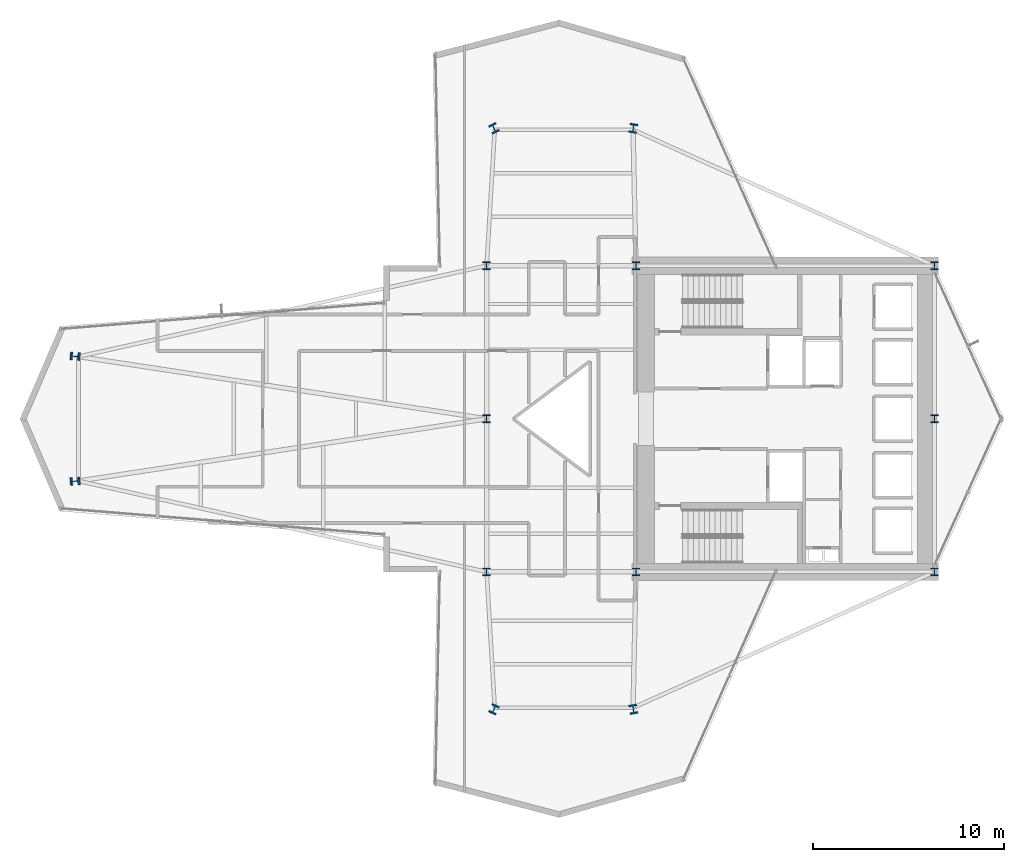
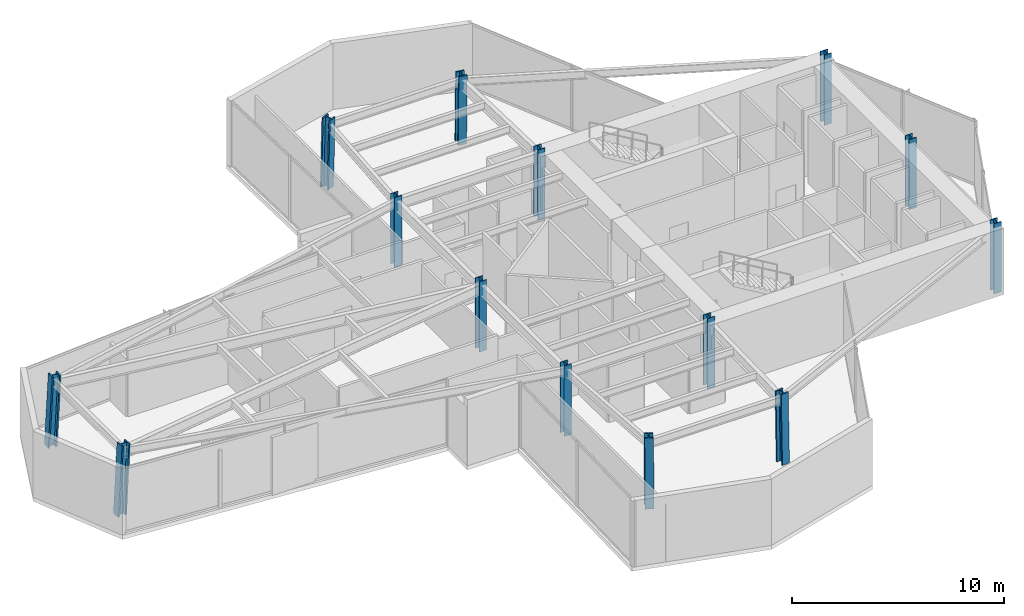
# One storey, part 1 of 24: 14 columns.
"""IFC4 building model written with IfcOpenShell, lengths in metres."""

import ifcopenshell
import ifcopenshell.guid

model = None  # the IFC model being written
_history = None  # IfcOwnerHistory: only IFC2X3 demands one
_inside = {}  # id of a spatial element -> (the spatial element, [elements in it])
_under = {}  # id of a project, library or spatial element -> (it, [spatial elements below it])
_declared = {}  # id of a project -> (the project, [libraries it declares])
_typed = {}  # id of a type object -> (the type object, [elements of that type])
_made_of = {}  # id of a material, layer set ... -> (it, [elements and type objects made of it])


def new_model(schema):
    """Start an empty IFC model of exactly this schema.

    Asked for "IFC4X3", IfcOpenShell would pick the latest addendum, in which some entities
    have other attributes; the version numbers below select the first issue.
    IFC2X3 requires an IfcOwnerHistory on every rooted entity: one is made here for all.
    """
    global model, _history
    if schema == "IFC4X3":
        model = ifcopenshell.file(schema_version=(4, 3, 0, 0))
    else:
        model = ifcopenshell.file(schema=schema)
    _inside.clear()
    _under.clear()
    _declared.clear()
    _typed.clear()
    _made_of.clear()
    _history = None
    if model.schema == "IFC2X3":
        org = make("IfcOrganization", Name="unknown")
        user = make(
            "IfcPersonAndOrganization",
            ThePerson=make("IfcPerson", FamilyName="unknown"),
            TheOrganization=org,
        )
        app = make(
            "IfcApplication",
            ApplicationDeveloper=org,
            Version="unknown",
            ApplicationFullName="unknown",
            ApplicationIdentifier="unknown",
        )
        _history = make(
            "IfcOwnerHistory",
            OwningUser=user,
            OwningApplication=app,
            ChangeAction="ADDED",
            CreationDate=0,
        )
    return model


def make(cls, **values):
    """One entity of the class cls with the attributes given. An attribute that is None is left unset."""
    return model.create_entity(
        cls, **{name: value for name, value in values.items() if value is not None}
    )


def rooted(cls, **values):
    """An entity with a GlobalId (a new one), such as an element, a storey or a relation."""
    return make(cls, GlobalId=ifcopenshell.guid.new(), OwnerHistory=_history, **values)


def si_unit(unit_type, name, prefix=None):
    """IfcSIUnit, for example si_unit("LENGTHUNIT", "METRE", prefix="MILLI")."""
    return make("IfcSIUnit", UnitType=unit_type, Prefix=prefix, Name=name)


def assignment(units):
    """IfcUnitAssignment: the units of a project."""
    return None if units is None else make("IfcUnitAssignment", Units=units)


def point(xyz):
    """IfcCartesianPoint."""
    return None if xyz is None else make("IfcCartesianPoint", Coordinates=xyz)


def direction(xyz):
    """IfcDirection."""
    return None if xyz is None else make("IfcDirection", DirectionRatios=xyz)


def frame(location, z_axis=None, x_axis=None):
    """IfcAxis2Placement3D, a coordinate frame: its origin and axes. An axis left out is left unset."""
    return make(
        "IfcAxis2Placement3D",
        Location=point(location),
        Axis=direction(z_axis),
        RefDirection=direction(x_axis),
    )


def frame_2d(location, x_axis=None):
    """IfcAxis2Placement2D, a coordinate frame in the plane: its origin and x axis."""
    return make(
        "IfcAxis2Placement2D", Location=point(location), RefDirection=direction(x_axis)
    )


def origin():
    """The frame at (0, 0, 0) with its axes left unset."""
    return frame((0.0, 0.0, 0.0))


def origin_2d():
    """The frame at (0, 0) in the plane with its x axis left unset."""
    return frame_2d((0.0, 0.0))


def place(relative_to, where):
    """IfcLocalPlacement: puts the frame where relative to a parent placement (None: the world)."""
    return make(
        "IfcLocalPlacement", PlacementRelTo=relative_to, RelativePlacement=where
    )


def context(
    kind, dimensions, precision=None, world=None, true_north=None, identifier=None
):
    """IfcGeometricRepresentationContext, for example the 3D "Model" context."""
    return make(
        "IfcGeometricRepresentationContext",
        ContextIdentifier=identifier,
        ContextType=kind,
        CoordinateSpaceDimension=dimensions,
        Precision=precision,
        WorldCoordinateSystem=world,
        TrueNorth=true_north,
    )


def subcontext(parent, identifier, kind, view, scale=None):
    """IfcGeometricRepresentationSubContext, for example "Body" below "Model"."""
    return make(
        "IfcGeometricRepresentationSubContext",
        ContextIdentifier=identifier,
        ContextType=kind,
        ParentContext=parent,
        TargetScale=scale,
        TargetView=view,
    )


def project(units=None, contexts=None):
    """IfcProject with its units and contexts."""
    return rooted(
        "IfcProject",
        Name="project",
        RepresentationContexts=contexts,
        UnitsInContext=assignment(units),
    )


def spatial(cls, under=None, at=None, **own):
    """A site, building, storey or space (cls), placed at a placement, below another one or the project."""
    s = rooted(cls, ObjectPlacement=at, **own)
    if under is not None:
        _under.setdefault(under.id(), (under, []))[1].append(s)
    return s


def profile(cls, at=None, kind="AREA", **sizes):
    """A parametric profile (cls). Its sizes go by their IFC names, for example OverallWidth=200.0."""
    return make(cls, ProfileType=kind, Position=at, **sizes)


def i_section(**sizes):
    """IfcIShapeProfileDef."""
    return profile("IfcIShapeProfileDef", **sizes)


def extrude(swept, where, along, depth):
    """IfcExtrudedAreaSolid: the profile swept, set in the frame where, extruded along a direction by depth."""
    return make(
        "IfcExtrudedAreaSolid",
        SweptArea=swept,
        Position=where,
        ExtrudedDirection=direction(along),
        Depth=depth,
    )


def shape(context_of_items, identifier, shape_type, items):
    """IfcShapeRepresentation: the items that make up one representation, for example the "Body"."""
    return make(
        "IfcShapeRepresentation",
        ContextOfItems=context_of_items,
        RepresentationIdentifier=identifier,
        RepresentationType=shape_type,
        Items=items,
    )


def material(Name=None, Category=None):
    """IfcMaterial."""
    return make("IfcMaterial", Name=Name, Category=Category)


def material_profile(
    of_material, cross_section, Name=None, Category=None, Priority=None
):
    """IfcMaterialProfile: a cross section and its material."""
    return make(
        "IfcMaterialProfile",
        Name=Name,
        Material=of_material,
        Profile=cross_section,
        Priority=Priority,
        Category=Category,
    )


def profile_set(profiles, Name=None, composite=None):
    """IfcMaterialProfileSet."""
    return make(
        "IfcMaterialProfileSet",
        Name=Name,
        MaterialProfiles=profiles,
        CompositeProfile=composite,
    )


def made_of(thing, what):
    """Note that an element or type object is made of a material, layer set ...; save() writes the relation."""
    if what is not None:
        _made_of.setdefault(what.id(), (what, []))[1].append(thing)
    return thing


def type_object(cls, material=None, **own):
    """A type object (cls), such as IfcWallType, which elements share."""
    return made_of(rooted(cls, **own), material)


def element(
    cls,
    number,
    at=None,
    inside=None,
    cuts=None,
    type_object=None,
    material=None,
    context=None,
    identifier="Body",
    shape_type=None,
    held_by="IfcProductDefinitionShape",
    body=None,
    shapes=None,
    **own,
):
    """One element of the class cls, such as IfcWall. Its Tag is "e" and its number.

    at: its placement. inside: the storey or other place that contains it. cuts: it is an
    opening in that element (IfcRelVoidsElement). A single representation is given by context,
    identifier, shape_type and body (its items); several are given by shapes. held_by: the class
    of the entity that holds the representations. save() writes the other relations.
    """
    e = rooted(cls, Tag="e%d" % number, ObjectPlacement=at, **own)
    if body is not None:
        shapes = [shape(context, identifier, shape_type, body)]
    if shapes is not None:
        e.Representation = make(held_by, Representations=shapes)
    if inside is not None:
        _inside.setdefault(inside.id(), (inside, []))[1].append(e)
    if cuts is not None:
        rooted(
            "IfcRelVoidsElement", RelatingBuildingElement=cuts, RelatedOpeningElement=e
        )
    if type_object is not None:
        _typed.setdefault(type_object.id(), (type_object, []))[1].append(e)
    return made_of(e, material)


def aggregate(whole, parts):
    """IfcRelAggregates: a whole, such as a stair, and the parts it consists of."""
    return rooted("IfcRelAggregates", RelatingObject=whole, RelatedObjects=parts)


def save(model, path):
    """Write the relations noted so far, then the file.

    IfcRelAggregates (storeys below a building ...), IfcRelContainedInSpatialStructure (elements
    in a storey), IfcRelDefinesByType, IfcRelAssociatesMaterial and IfcRelDeclares: one each for
    every whole, place, type object, material and project.
    """
    for whole, parts in _under.values():
        aggregate(whole, parts)
    for where, things in _inside.values():
        rooted(
            "IfcRelContainedInSpatialStructure",
            RelatedElements=things,
            RelatingStructure=where,
        )
    for kind, things in _typed.values():
        rooted("IfcRelDefinesByType", RelatedObjects=things, RelatingType=kind)
    for what, things in _made_of.values():
        rooted("IfcRelAssociatesMaterial", RelatedObjects=things, RelatingMaterial=what)
    for by, libraries in _declared.values():
        rooted("IfcRelDeclares", RelatingContext=by, RelatedDefinitions=libraries)
    model.write(path)


model = new_model("IFC4")

# Units and contexts
model_context = context("Model", 3, precision=1e-05, world=origin(), true_north=direction((0.0, 1.0)))
body_context = subcontext(model_context, "Body", "Model", "MODEL_VIEW")
ifc_project = project(units=[si_unit("LENGTHUNIT", "METRE"), si_unit("AREAUNIT", "SQUARE_METRE"), si_unit("VOLUMEUNIT", "CUBIC_METRE"), si_unit("PLANEANGLEUNIT", "RADIAN"), si_unit("MASSUNIT", "GRAM", prefix="KILO")], contexts=[model_context])

# Site, building, storey
site_placement = place(None, origin())
site = spatial("IfcSite", under=ifc_project, at=site_placement, CompositionType="ELEMENT")
building_placement = place(site_placement, origin())
building = spatial("IfcBuilding", under=site, at=building_placement, Name="Veymaron Broadcast Tower", CompositionType="ELEMENT")
storey_placement = place(building_placement, frame((0.0, 0.0, 98.550048828125)))
storey = spatial("IfcBuildingStorey", under=building, at=storey_placement, Name="L22", CompositionType="ELEMENT", Elevation=98.550048828125)

# Columns
ifc_material = material(Name="Structural steel ASTM A913 Gr 65", Category="steel")
ifc_material_profile_1 = material_profile(ifc_material, i_section(OverallWidth=0.40087890625, OverallDepth=0.39892578125, WebThickness=0.02490234375, FlangeThickness=0.03955078125, at=origin_2d()), Name="W360X314")
ifc_profile_set_1 = profile_set([ifc_material_profile_1], Name="Structural steel ASTM A913 Gr 65")
column_type_1 = type_object("IfcColumnType", Name="COL-HC1", PredefinedType="COLUMN", material=ifc_profile_set_1)
for number, where, z_axis, x_axis, name in (
    (1, (31.199951171875, 16.0, 0.0), (0.0, 0.0, 1.0), (1.0, 0.0, 0.0), "L22 structural hub and core column"),
    (2, (31.199951171875, 24.0, 0.0), (0.0, 0.0, 1.0), (1.0, 0.0, 0.0), "L22 structural hub and core column"),
    (3, (31.199951171875, 32.0, 0.0), (0.0, 0.0, 1.0), (1.0, 0.0, 0.0), "L22 structural hub and core column"),
    (4, (39.0, 16.0, 0.0), (0.0, 0.0, 1.0), (1.0, 0.0, 0.0), "L22 structural hub and core column"),
    (5, (39.0, 32.0, 0.0), (0.0, 0.0, 1.0), (1.0, 0.0, 0.0), "L22 structural hub and core column"),
    (6, (54.60009765625, 16.0, 0.0), (0.0, 0.0, 1.0), (1.0, 0.0, 0.0), "L22 structural hub and core column"),
    (7, (54.60009765625, 24.0, 0.0), (0.0, 0.0, 1.0), (1.0, 0.0, 0.0), "L22 structural hub and core column"),
    (8, (54.60009765625, 32.0, 0.0), (0.0, 0.0, 1.0), (1.0, 0.0, 0.0), "L22 structural hub and core column"),
):
    element("IfcColumn", number, at=place(storey_placement, frame(where, z_axis=z_axis, x_axis=x_axis)), inside=storey, type_object=column_type_1, Name=name, PredefinedType="COLUMN", context=body_context, shape_type="SweptSolid", body=[
        extrude(i_section(OverallWidth=0.40087890625, OverallDepth=0.39892578125, WebThickness=0.02490234375, FlangeThickness=0.03955078125, at=origin_2d()), origin(), (0.0, 0.0, 1.0), 4.0439453125),
    ])
ifc_material_profile_2 = material_profile(ifc_material, i_section(OverallWidth=0.424072265625, OverallDepth=0.47412109375, WebThickness=0.047607421875, FlangeThickness=0.076904296875, at=origin_2d()), Name="W360X634")
ifc_profile_set_2 = profile_set([ifc_material_profile_2], Name="Structural steel ASTM A913 Gr 65")
column_type_2 = type_object("IfcColumnType", Name="COL-MC1", PredefinedType="COLUMN", material=ifc_profile_set_2)
for number, where, z_axis, x_axis, name in (
    (9, (9.6630859375, 20.735107421875, 0.015869140625), (0.051456482239, 0.003701468652, 0.998668378174), (-0.071748570475, 0.997422750209, 0.0), "L22 Tapered Wing Mega Column"),
    (10, (9.6630859375, 27.264892578125, 0.015869140625), (0.051456482239, -0.003701468652, 0.998668378174), (0.071748570475, 0.997422750209, 0.0), "L22 Tapered Wing Mega Column"),
):
    element("IfcColumn", number, at=place(storey_placement, frame(where, z_axis=z_axis, x_axis=x_axis)), inside=storey, type_object=column_type_2, Name=name, PredefinedType="COLUMN", context=body_context, shape_type="SweptSolid", body=[
        extrude(i_section(OverallWidth=0.424072265625, OverallDepth=0.47412109375, WebThickness=0.047607421875, FlangeThickness=0.076904296875, at=origin_2d()), origin(), (0.0, 0.0, 1.0), 4.0234375),
    ])
column_1_placement = place(storey_placement, frame((31.577880859375, 39.18994140625, 0.015869140625), z_axis=(0.010508398304, -0.022353124715, 0.99969490915), x_axis=(0.90498583022, 0.425441708229, 0.0)))
element("IfcColumn", 11, at=column_1_placement, inside=storey, type_object=column_type_2, Name="L22 Tapered Wing Mega Column", PredefinedType="COLUMN", context=body_context, shape_type="SweptSolid", body=[
    extrude(i_section(OverallWidth=0.424072265625, OverallDepth=0.47412109375, WebThickness=0.047607421875, FlangeThickness=0.076904296875, at=origin_2d()), origin(), (0.0, 0.0, 1.0), 4.019287109375),
])
column_2_placement = place(storey_placement, frame((38.864990234375, 39.18994140625, 0.015869140625), z_axis=(-0.003705452548, -0.022354205538, 0.999743246597), x_axis=(0.986538449348, -0.163529471223, 0.0)))
element("IfcColumn", 12, at=column_2_placement, inside=storey, type_object=column_type_2, Name="L22 Tapered Wing Mega Column", PredefinedType="COLUMN", context=body_context, shape_type="SweptSolid", body=[
    extrude(i_section(OverallWidth=0.424072265625, OverallDepth=0.47412109375, WebThickness=0.047607421875, FlangeThickness=0.076904296875, at=origin_2d()), origin(), (0.0, 0.0, 1.0), 4.01904296875),
])
column_3_placement = place(storey_placement, frame((31.577880859375, 8.81005859375, 0.015869140625), z_axis=(0.010508398304, 0.022353124715, 0.99969490915), x_axis=(-0.90498583022, 0.425441708229, 0.0)))
element("IfcColumn", 13, at=column_3_placement, inside=storey, type_object=column_type_2, Name="L22 Tapered Wing Mega Column", PredefinedType="COLUMN", context=body_context, shape_type="SweptSolid", body=[
    extrude(i_section(OverallWidth=0.424072265625, OverallDepth=0.47412109375, WebThickness=0.047607421875, FlangeThickness=0.076904296875, at=origin_2d()), origin(), (0.0, 0.0, 1.0), 4.019287109375),
])
column_4_placement = place(storey_placement, frame((38.864990234375, 8.81005859375, 0.015869140625), z_axis=(-0.003705452548, 0.022354205538, 0.999743246597), x_axis=(-0.986538449348, -0.163529471223, 0.0)))
element("IfcColumn", 14, at=column_4_placement, inside=storey, type_object=column_type_2, Name="L22 Tapered Wing Mega Column", PredefinedType="COLUMN", context=body_context, shape_type="SweptSolid", body=[
    extrude(i_section(OverallWidth=0.424072265625, OverallDepth=0.47412109375, WebThickness=0.047607421875, FlangeThickness=0.076904296875, at=origin_2d()), origin(), (0.0, 0.0, 1.0), 4.01904296875),
])

save(model, "model.ifc")
